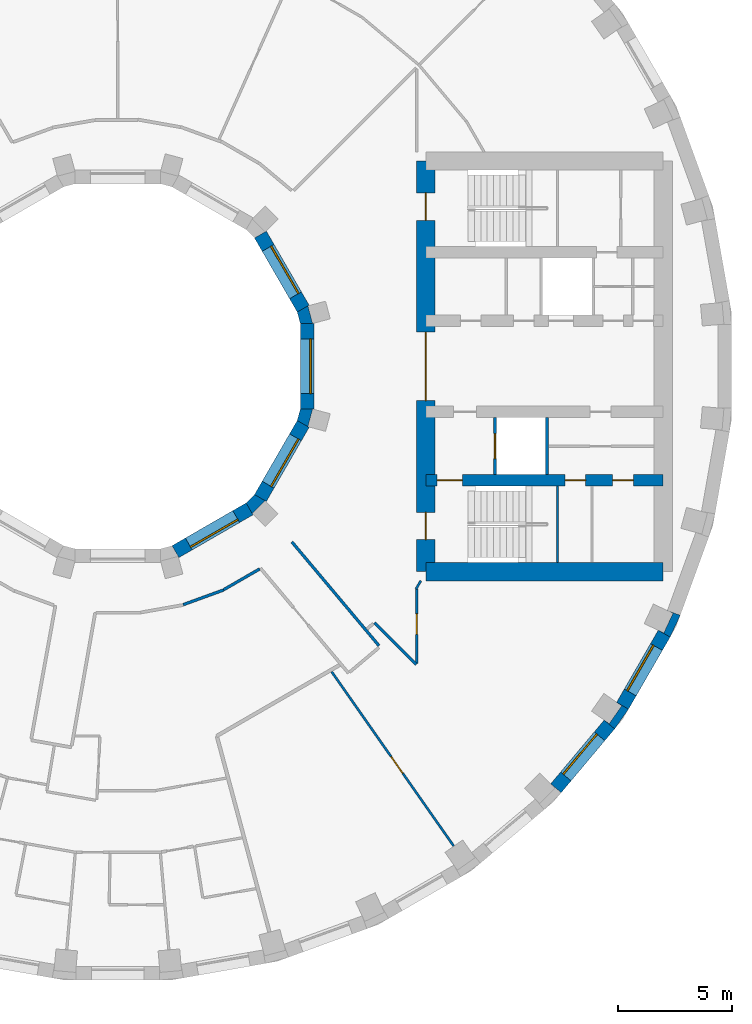
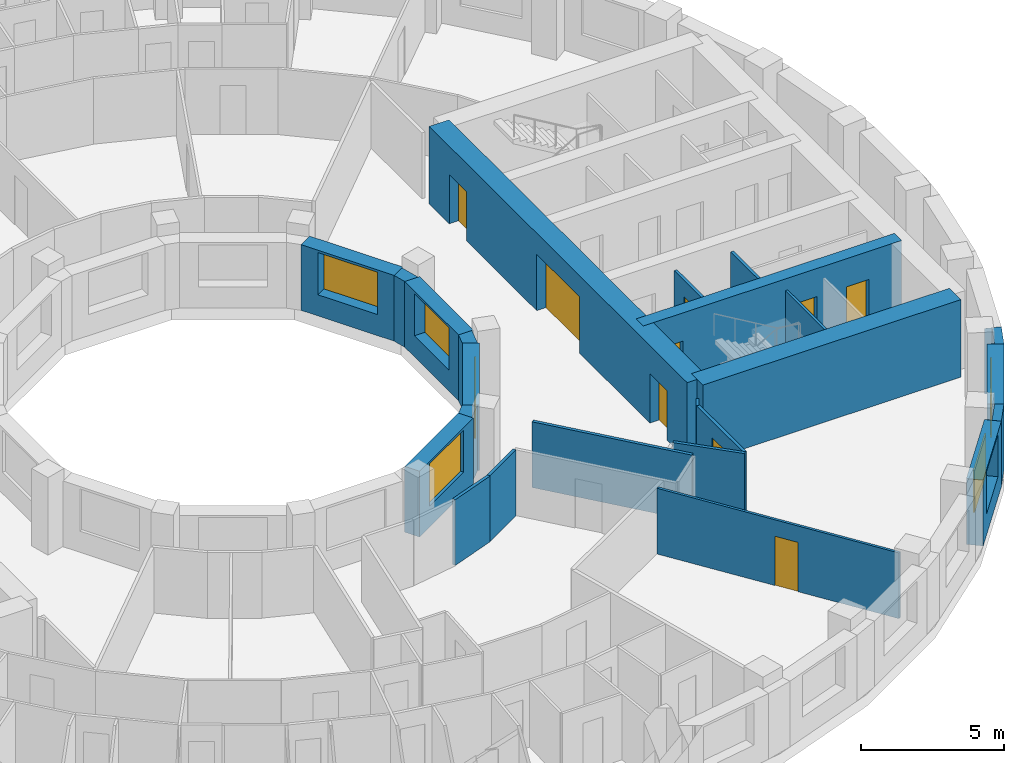
# One storey, part 6 of 12: 24 walls, 9 doors, 6 windows, 15 openings.
"""IFC4 building model written with IfcOpenShell, lengths in metres."""

from ifc_helpers import new_model, si_unit, direction, frame, frame_2d, origin, place, context, subcontext, project, spatial, polyline, rectangle, outline, extrude, material, layer, layer_set, type_object, element, fill, save


model = new_model("IFC4")

# Units and contexts
model_context = context("Model", 3, precision=1e-05, world=origin(), true_north=direction((0.0, 1.0)))
body_context = subcontext(model_context, "Body", "Model", "MODEL_VIEW")
ifc_project = project(units=[si_unit("LENGTHUNIT", "METRE"), si_unit("AREAUNIT", "SQUARE_METRE"), si_unit("VOLUMEUNIT", "CUBIC_METRE"), si_unit("PLANEANGLEUNIT", "RADIAN"), si_unit("MASSUNIT", "GRAM", prefix="KILO")], contexts=[model_context])

# Site, building, storey
site_placement = place(None, origin())
site = spatial("IfcSite", under=ifc_project, at=site_placement, CompositionType="ELEMENT")
building_placement = place(site_placement, origin())
building = spatial("IfcBuilding", under=site, at=building_placement, Name="Saqina Gate Tower", CompositionType="ELEMENT")
storey_placement = place(building_placement, frame((0.0, 0.0, 111.699951171875)))
storey = spatial("IfcBuildingStorey", under=building, at=storey_placement, Name="L31", CompositionType="ELEMENT", Elevation=111.699951171875)

# Walls
ifc_material_1 = material(Name="Brick masonry (buff)", Category="masonry")
wall_type_1 = type_object("IfcWallType", Name="BRICK PIER COPING BUFF", PredefinedType="SOLIDWALL", material=ifc_material_1)
wall_1_placement = place(storey_placement, origin())
element("IfcWall", 1, at=wall_1_placement, inside=storey, type_object=wall_type_1, Name="Pier cap L31 column 33", PredefinedType="SOLIDWALL", context=body_context, shape_type="SweptSolid", body=[
    extrude(outline(polyline([(22.3818359375, -15.0283203125), (21.862060546875, -14.728271484375), (22.08251953125, -14.88232421875), (21.53759765625, -15.66064453125), (21.317138671875, -15.50634765625), (21.77685546875, -15.89208984375), (22.3818359375, -15.0283203125)])), origin(), (0.0, 0.0, 1.0), 2.800048828125),
])
wall_2_placement = place(storey_placement, origin())
element("IfcWall", 2, at=wall_2_placement, inside=storey, type_object=wall_type_1, Name="Pier cap L31 column 34", PredefinedType="SOLIDWALL", context=body_context, shape_type="SweptSolid", body=[
    extrude(outline(polyline([(24.6513671875, -10.913330078125), (24.08740234375, -10.7080078125), (24.331298828125, -10.82177734375), (23.9296875, -11.6826171875), (23.68603515625, -11.569091796875), (24.205810546875, -11.869140625), (24.6513671875, -10.913330078125)])), origin(), (0.0, 0.0, 1.0), 2.800048828125),
])

# Wall, opening, window
ifc_material_2 = material(Name="Brick masonry (buff)", Category="masonry")
ifc_layer_1 = layer(ifc_material_2, 0.60009765625)
ifc_layer_set_1 = layer_set([ifc_layer_1], Name="FW-BRICK-BUFF")
wall_type_2 = type_object("IfcWallType", Name="FW-BRICK-BUFF", PredefinedType="SOLIDWALL", material=ifc_layer_set_1)
wall_3_placement = place(storey_placement, frame((19.202392578125, -18.49365234375, 0.0), z_axis=(0.0, 0.0, 1.0), x_axis=(0.642774476932, 0.766055462616, 0.0)))
wall_3 = element("IfcWall", 3, at=wall_3_placement, inside=storey, type_object=wall_type_2, Name="Facade wall L31 facet 32", PredefinedType="SOLIDWALL", context=body_context, shape_type="SweptSolid", body=[
    extrude(rectangle(XDim=3.647705078125, YDim=0.60009765625, at=frame_2d((1.82373046875, 0.0))), origin(), (0.0, 0.0, 1.0), 2.800048828125),
])
opening_1_placement = place(wall_3_placement, frame((0.673828125, 0.0, 0.89990234375)))
opening_1 = element("IfcOpeningElement", 4, at=opening_1_placement, cuts=wall_3, Name="Opening G09-W24", PredefinedType="OPENING", context=body_context, shape_type="SweptSolid", body=[
    extrude(rectangle(XDim=2.300048828125, YDim=1.800048828125, at=frame_2d((1.14990234375, 0.89990234375))), frame((0.0, 0.31201171875, 0.0), z_axis=(0.0, -1.0, 0.0), x_axis=(1.0, 0.0, 0.0)), (0.0, 0.0, 1.0), 0.6240234375),
])
ifc_material_3 = material(Name="Aluminium glazing", Category="aluminium")
window_type_1 = type_object("IfcWindowType", Name="WN-B", PartitioningType="SINGLE_PANEL", PredefinedType="WINDOW", material=ifc_material_3)
window_1_placement = place(opening_1_placement, origin())
window_1 = element("IfcWindow", 5, at=window_1_placement, inside=storey, type_object=window_type_1, Name="Window L31 facet 32", OverallHeight=1.800048828125, OverallWidth=2.300048828125, PartitioningType="SINGLE_PANEL", PredefinedType="WINDOW", context=body_context, shape_type="SweptSolid", body=[
    extrude(rectangle(XDim=2.300048828125, YDim=1.800048828125, at=frame_2d((1.14990234375, 0.89990234375))), frame((0.0, 0.179931640625, 0.0), z_axis=(0.0, -1.0, 0.0), x_axis=(1.0, 0.0, 0.0)), (0.0, 0.0, 1.0), 0.06005859375),
])
fill(opening_1, window_1)

wall_4_placement = place(storey_placement, frame((22.1220703125, -14.878173828125, 0.0), z_axis=(0.0, 0.0, 1.0), x_axis=(0.499954196102, 0.866051847062, 0.0)))
wall_4 = element("IfcWall", 6, at=wall_4_placement, inside=storey, type_object=wall_type_2, Name="Facade wall L31 facet 33", PredefinedType="SOLIDWALL", context=body_context, shape_type="SweptSolid", body=[
    extrude(rectangle(XDim=3.647705078125, YDim=0.60009765625, at=frame_2d((1.82373046875, 0.0))), origin(), (0.0, 0.0, 1.0), 2.800048828125),
])
opening_2_placement = place(wall_4_placement, frame((0.673828125, 0.0, 0.89990234375)))
opening_2 = element("IfcOpeningElement", 7, at=opening_2_placement, cuts=wall_4, Name="Opening G09-W25", PredefinedType="OPENING", context=body_context, shape_type="SweptSolid", body=[
    extrude(rectangle(XDim=2.300048828125, YDim=1.800048828125, at=frame_2d((1.14990234375, 0.89990234375))), frame((0.0, 0.31201171875, 0.0), z_axis=(0.0, -1.0, 0.0), x_axis=(1.0, 0.0, 0.0)), (0.0, 0.0, 1.0), 0.6240234375),
])
window_2_placement = place(opening_2_placement, origin())
window_2 = element("IfcWindow", 8, at=window_2_placement, inside=storey, type_object=window_type_1, Name="Window L31 facet 33", OverallHeight=1.800048828125, OverallWidth=2.300048828125, PartitioningType="SINGLE_PANEL", PredefinedType="WINDOW", context=body_context, shape_type="SweptSolid", body=[
    extrude(rectangle(XDim=2.300048828125, YDim=1.800048828125, at=frame_2d((1.14990234375, 0.89990234375))), frame((0.0, 0.179931640625, 0.0), z_axis=(0.0, -1.0, 0.0), x_axis=(1.0, 0.0, 0.0)), (0.0, 0.0, 1.0), 0.06005859375),
])
fill(opening_2, window_2)

ifc_material_4 = material(Name="Glazed ceramic tile", Category="ceramic")
ifc_layer_2 = layer(ifc_material_4, 0.60009765625)
ifc_layer_set_2 = layer_set([ifc_layer_2], Name="IW-TILE")
wall_type_3 = type_object("IfcWallType", Name="IW-TILE", PredefinedType="SOLIDWALL", material=ifc_layer_set_2)
wall_5_placement = place(storey_placement, frame((8.124755859375, 2.52734375, 0.0), z_axis=(0.0, 0.0, 1.0), x_axis=(-0.499964958637, 0.86604563398, 0.0)))
wall_5 = element("IfcWall", 9, at=wall_5_placement, inside=storey, type_object=wall_type_3, Name="Well wall L31 facet 1", PredefinedType="SOLIDWALL", context=body_context, shape_type="SweptSolid", body=[
    extrude(rectangle(XDim=3.747314453125, YDim=0.60009765625, at=frame_2d((1.87353515625, 0.0))), origin(), (0.0, 0.0, 1.0), 2.800048828125),
])
opening_3_placement = place(wall_5_placement, frame((0.673583984375, 0.0, 0.89990234375)))
opening_3 = element("IfcOpeningElement", 10, at=opening_3_placement, cuts=wall_5, Name="Opening G09-W26", PredefinedType="OPENING", context=body_context, shape_type="SweptSolid", body=[
    extrude(rectangle(XDim=2.39990234375, YDim=1.800048828125, at=frame_2d((1.199951171875, 0.89990234375))), frame((0.0, 0.31201171875, 0.0), z_axis=(0.0, -1.0, 0.0), x_axis=(1.0, 0.0, 0.0)), (0.0, 0.0, 1.0), 0.6240234375),
])
ifc_material_5 = material(Name="Aluminium glazing", Category="aluminium")
window_type_2 = type_object("IfcWindowType", Name="WN-W", PartitioningType="SINGLE_PANEL", PredefinedType="WINDOW", material=ifc_material_5)
window_3_placement = place(opening_3_placement, origin())
window_3 = element("IfcWindow", 11, at=window_3_placement, inside=storey, type_object=window_type_2, Name="Well window L31 facet 1", OverallHeight=1.800048828125, OverallWidth=2.39990234375, PartitioningType="SINGLE_PANEL", PredefinedType="WINDOW", context=body_context, shape_type="SweptSolid", body=[
    extrude(rectangle(XDim=2.39990234375, YDim=1.800048828125, at=frame_2d((1.199951171875, 0.89990234375))), frame((0.0, -0.119873046875, 0.0), z_axis=(0.0, -1.0, 0.0), x_axis=(1.0, 0.0, 0.0)), (0.0, 0.0, 1.0), 0.06005859375),
])
fill(opening_3, window_3)

wall_6_placement = place(storey_placement, frame((2.52734375, -8.124755859375, 0.0), z_axis=(0.0, 0.0, 1.0), x_axis=(0.86604563398, 0.499964958637, 0.0)))
wall_6 = element("IfcWall", 12, at=wall_6_placement, inside=storey, type_object=wall_type_3, Name="Well wall L31 facet 10", PredefinedType="SOLIDWALL", context=body_context, shape_type="SweptSolid", body=[
    extrude(rectangle(XDim=3.747314453125, YDim=0.60009765625, at=frame_2d((1.87353515625, 0.0))), origin(), (0.0, 0.0, 1.0), 2.800048828125),
])
opening_4_placement = place(wall_6_placement, frame((0.673583984375, 0.0, 0.89990234375)))
opening_4 = element("IfcOpeningElement", 13, at=opening_4_placement, cuts=wall_6, Name="Opening G09-W35", PredefinedType="OPENING", context=body_context, shape_type="SweptSolid", body=[
    extrude(rectangle(XDim=2.39990234375, YDim=1.800048828125, at=frame_2d((1.199951171875, 0.89990234375))), frame((0.0, 0.31201171875, 0.0), z_axis=(0.0, -1.0, 0.0), x_axis=(1.0, 0.0, 0.0)), (0.0, 0.0, 1.0), 0.6240234375),
])
window_4_placement = place(opening_4_placement, origin())
window_4 = element("IfcWindow", 14, at=window_4_placement, inside=storey, type_object=window_type_2, Name="Well window L31 facet 10", OverallHeight=1.800048828125, OverallWidth=2.39990234375, PartitioningType="SINGLE_PANEL", PredefinedType="WINDOW", context=body_context, shape_type="SweptSolid", body=[
    extrude(rectangle(XDim=2.39990234375, YDim=1.800048828125, at=frame_2d((1.199951171875, 0.89990234375))), frame((0.0, -0.119873046875, 0.0), z_axis=(0.0, -1.0, 0.0), x_axis=(1.0, 0.0, 0.0)), (0.0, 0.0, 1.0), 0.06005859375),
])
fill(opening_4, window_4)

wall_7_placement = place(storey_placement, frame((6.251220703125, -5.772705078125, 0.0), z_axis=(0.0, 0.0, 1.0), x_axis=(0.499964958637, 0.86604563398, 0.0)))
wall_7 = element("IfcWall", 15, at=wall_7_placement, inside=storey, type_object=wall_type_3, Name="Well wall L31 facet 11", PredefinedType="SOLIDWALL", context=body_context, shape_type="SweptSolid", body=[
    extrude(rectangle(XDim=3.747314453125, YDim=0.60009765625, at=frame_2d((1.87353515625, 0.0))), origin(), (0.0, 0.0, 1.0), 2.800048828125),
])
opening_5_placement = place(wall_7_placement, frame((0.673583984375, 0.0, 0.89990234375)))
opening_5 = element("IfcOpeningElement", 16, at=opening_5_placement, cuts=wall_7, Name="Opening G09-W36", PredefinedType="OPENING", context=body_context, shape_type="SweptSolid", body=[
    extrude(rectangle(XDim=2.39990234375, YDim=1.800048828125, at=frame_2d((1.199951171875, 0.89990234375))), frame((0.0, 0.31201171875, 0.0), z_axis=(0.0, -1.0, 0.0), x_axis=(1.0, 0.0, 0.0)), (0.0, 0.0, 1.0), 0.6240234375),
])
window_5_placement = place(opening_5_placement, origin())
window_5 = element("IfcWindow", 17, at=window_5_placement, inside=storey, type_object=window_type_2, Name="Well window L31 facet 11", OverallHeight=1.800048828125, OverallWidth=2.39990234375, PartitioningType="SINGLE_PANEL", PredefinedType="WINDOW", context=body_context, shape_type="SweptSolid", body=[
    extrude(rectangle(XDim=2.39990234375, YDim=1.800048828125, at=frame_2d((1.199951171875, 0.89990234375))), frame((0.0, -0.119873046875, 0.0), z_axis=(0.0, -1.0, 0.0), x_axis=(1.0, 0.0, 0.0)), (0.0, 0.0, 1.0), 0.06005859375),
])
fill(opening_5, window_5)

wall_8_placement = place(storey_placement, frame((8.300048828125, -1.873779296875, 0.0), z_axis=(0.0, 0.0, 1.0), x_axis=(0.0, 1.0, 0.0)))
wall_8 = element("IfcWall", 18, at=wall_8_placement, inside=storey, type_object=wall_type_3, Name="Well wall L31 facet 12", PredefinedType="SOLIDWALL", context=body_context, shape_type="SweptSolid", body=[
    extrude(rectangle(XDim=3.74755859375, YDim=0.60009765625, at=frame_2d((1.873779296875, 0.0))), origin(), (0.0, 0.0, 1.0), 2.800048828125),
])
opening_6_placement = place(wall_8_placement, frame((0.673583984375, 0.0, 0.89990234375)))
opening_6 = element("IfcOpeningElement", 19, at=opening_6_placement, cuts=wall_8, Name="Opening G09-W37", PredefinedType="OPENING", context=body_context, shape_type="SweptSolid", body=[
    extrude(rectangle(XDim=2.39990234375, YDim=1.800048828125, at=frame_2d((1.199951171875, 0.89990234375))), frame((0.0, 0.31201171875, 0.0), z_axis=(0.0, -1.0, 0.0), x_axis=(1.0, 0.0, 0.0)), (0.0, 0.0, 1.0), 0.6240234375),
])
window_6_placement = place(opening_6_placement, origin())
window_6 = element("IfcWindow", 20, at=window_6_placement, inside=storey, type_object=window_type_2, Name="Well window L31 facet 12", OverallHeight=1.800048828125, OverallWidth=2.39990234375, PartitioningType="SINGLE_PANEL", PredefinedType="WINDOW", context=body_context, shape_type="SweptSolid", body=[
    extrude(rectangle(XDim=2.39990234375, YDim=1.800048828125, at=frame_2d((1.199951171875, 0.89990234375))), frame((0.0, -0.119873046875, 0.0), z_axis=(0.0, -1.0, 0.0), x_axis=(1.0, 0.0, 0.0)), (0.0, 0.0, 1.0), 0.06005859375),
])
fill(opening_6, window_6)

# Wall, opening, door
ifc_material_6 = material(Name="Gypsum board on steel studs, 100 mm", Category="steel")
ifc_layer_3 = layer(ifc_material_6, 0.10009765625)
ifc_layer_set_3 = layer_set([ifc_layer_3], Name="PARTITION 100")
wall_type_4 = type_object("IfcWallType", Name="PARTITION 100", PredefinedType="PARTITIONING", material=ifc_layer_set_3)
wall_9_placement = place(storey_placement, frame((9.371337890625, -13.384521484375, 0.0), z_axis=(0.0, 0.0, 1.0), x_axis=(0.573555460551, -0.819166731302, 0.0)))
wall_9 = element("IfcWall", 21, at=wall_9_placement, inside=storey, type_object=wall_type_4, Name="PARTITION PW3-17", PredefinedType="PARTITIONING", context=body_context, shape_type="SweptSolid", body=[
    extrude(rectangle(XDim=9.325927734375, YDim=0.10009765625, at=frame_2d((4.6630859375, 0.0))), origin(), (0.0, 0.0, 1.0), 2.800048828125),
])
opening_7_placement = place(wall_9_placement, frame((4.540771484375, 0.0, 0.0)))
opening_7 = element("IfcOpeningElement", 22, at=opening_7_placement, cuts=wall_9, Name="Opening G09-D50", PredefinedType="OPENING", context=body_context, shape_type="SweptSolid", body=[
    extrude(rectangle(XDim=0.89990234375, YDim=2.10009765625, at=frame_2d((0.449951171875, 1.050048828125))), frame((0.0, 0.06201171875, 0.0), z_axis=(0.0, -1.0, 0.0), x_axis=(1.0, 0.0, 0.0)), (0.0, 0.0, 1.0), 0.1240234375),
])
ifc_material_7 = material(Name="Timber door leaf, 900 mm", Category="wood")
door_type_1 = type_object("IfcDoorType", Name="DOOR 900 TIMBER", OperationType="SINGLE_SWING_LEFT", PredefinedType="DOOR", material=ifc_material_7)
door_1_placement = place(opening_7_placement, origin())
door_1 = element("IfcDoor", 23, at=door_1_placement, inside=storey, type_object=door_type_1, Name="DOOR G09-D50", OperationType="SINGLE_SWING_RIGHT", OverallHeight=2.10009765625, OverallWidth=0.89990234375, PredefinedType="DOOR", context=body_context, shape_type="SweptSolid", body=[
    extrude(rectangle(XDim=0.89990234375, YDim=2.10009765625, at=frame_2d((0.449951171875, 1.050048828125))), frame((0.0, 0.02490234375, 0.0), z_axis=(0.0, -1.0, 0.0), x_axis=(1.0, 0.0, 0.0)), (0.0, 0.0, 1.0), 0.050048828125),
])
fill(opening_7, door_1)

# Walls
wall_10_placement = place(storey_placement, frame((13.071044921875, -9.760009765625, 0.0), z_axis=(0.0, 0.0, 1.0), x_axis=(0.500179786662, 0.865921579021, 0.0)))
element("IfcWall", 24, at=wall_10_placement, inside=storey, type_object=wall_type_4, Name="PARTITION PW3-87", PredefinedType="PARTITIONING", context=body_context, shape_type="SweptSolid", body=[
    extrude(rectangle(XDim=0.415771484375, YDim=0.10009765625, at=frame_2d((0.2080078125, 0.0))), origin(), (0.0, 0.0, 1.0), 2.800048828125),
])
ifc_material_8 = material(Name="Gypsum board on steel studs, 125 mm, fire rated", Category="steel")
ifc_layer_4 = layer(ifc_material_8, 0.125)
ifc_layer_set_4 = layer_set([ifc_layer_4], Name="PARTITION EI 30 125")
wall_type_5 = type_object("IfcWallType", Name="PARTITION EI 30 125", PredefinedType="PARTITIONING", material=ifc_layer_set_4)
wall_11_placement = place(storey_placement, frame((7.628662109375, -7.69775390625, 0.0), z_axis=(0.0, 0.0, 1.0), x_axis=(0.642971202284, -0.76589035314, 0.0)))
element("IfcWall", 25, at=wall_11_placement, inside=storey, type_object=wall_type_5, Name="PARTITION PW1-05", PredefinedType="PARTITIONING", context=body_context, shape_type="SweptSolid", body=[
    extrude(rectangle(XDim=5.936767578125, YDim=0.125, at=frame_2d((2.96826171875, 0.0))), origin(), (0.0, 0.0, 1.0), 2.800048828125),
])
wall_12_placement = place(storey_placement, frame((11.240966796875, -11.239013671875, 0.0), z_axis=(0.0, 0.0, 1.0), x_axis=(0.707106781187, -0.707106781187, 0.0)))
element("IfcWall", 26, at=wall_12_placement, inside=storey, type_object=wall_type_5, Name="PARTITION PW1-07", PredefinedType="PARTITIONING", context=body_context, shape_type="SweptSolid", body=[
    extrude(rectangle(XDim=2.590576171875, YDim=0.125, at=frame_2d((1.29541015625, 0.0))), origin(), (0.0, 0.0, 1.0), 2.800048828125),
])
wall_13_placement = place(storey_placement, frame((2.86376953125, -10.44873046875, 0.0), z_axis=(0.0, 0.0, 1.0), x_axis=(0.939733090163, 0.341908934151, 0.0)))
element("IfcWall", 27, at=wall_13_placement, inside=storey, type_object=wall_type_5, Name="PARTITION PW1-31", PredefinedType="PARTITIONING", context=body_context, shape_type="SweptSolid", body=[
    extrude(rectangle(XDim=1.890869140625, YDim=0.125, at=frame_2d((0.9453125, 0.0))), origin(), (0.0, 0.0, 1.0), 2.800048828125),
])
wall_14_placement = place(storey_placement, frame((4.63623046875, -9.794677734375, 0.0), z_axis=(0.0, 0.0, 1.0), x_axis=(0.865889515344, 0.500235291855, 0.0)))
element("IfcWall", 28, at=wall_14_placement, inside=storey, type_object=wall_type_5, Name="PARTITION PW1-35", PredefinedType="PARTITIONING", context=body_context, shape_type="SweptSolid", body=[
    extrude(rectangle(XDim=1.82666015625, YDim=0.125, at=frame_2d((0.913330078125, 0.0))), origin(), (0.0, 0.0, 1.0), 2.800048828125),
])

# Wall, opening, door
wall_15_placement = place(storey_placement, frame((13.10009765625, -13.03662109375, 0.0), z_axis=(0.0, 0.0, 1.0), x_axis=(0.0, 1.0, 0.0)))
wall_15 = element("IfcWall", 29, at=wall_15_placement, inside=storey, type_object=wall_type_5, Name="PARTITION PW1-49", PredefinedType="PARTITIONING", context=body_context, shape_type="SweptSolid", body=[
    extrude(rectangle(XDim=3.276611328125, YDim=0.125, at=frame_2d((1.63818359375, 0.0))), origin(), (0.0, 0.0, 1.0), 2.800048828125),
])
opening_8_placement = place(wall_15_placement, frame((1.281982421875, 0.0, 0.0)))
opening_8 = element("IfcOpeningElement", 30, at=opening_8_placement, cuts=wall_15, Name="Opening G09-D52", PredefinedType="OPENING", context=body_context, shape_type="SweptSolid", body=[
    extrude(rectangle(XDim=0.89990234375, YDim=2.10009765625, at=frame_2d((0.449951171875, 1.050048828125))), frame((0.0, 0.074462890625, 0.0), z_axis=(0.0, -1.0, 0.0), x_axis=(1.0, 0.0, 0.0)), (0.0, 0.0, 1.0), 0.14892578125),
])
ifc_material_9 = material(Name="Fire door leaf EI 30, 900 mm")
door_type_2 = type_object("IfcDoorType", Name="DOOR 900 EI 30", OperationType="SINGLE_SWING_LEFT", PredefinedType="DOOR", material=ifc_material_9)
door_2_placement = place(opening_8_placement, origin())
door_2 = element("IfcDoor", 31, at=door_2_placement, inside=storey, type_object=door_type_2, Name="DOOR G09-D52", OperationType="SINGLE_SWING_LEFT", OverallHeight=2.10009765625, OverallWidth=0.89990234375, PredefinedType="DOOR", context=body_context, shape_type="SweptSolid", body=[
    extrude(rectangle(XDim=0.89990234375, YDim=2.10009765625, at=frame_2d((0.449951171875, 1.050048828125))), frame((0.0, 0.02490234375, 0.0), z_axis=(0.0, -1.0, 0.0), x_axis=(1.0, 0.0, 0.0)), (0.0, 0.0, 1.0), 0.050048828125),
])
fill(opening_8, door_2)

ifc_material_10 = material(Name="Autoclaved aerated concrete block", Category="concrete")
ifc_layer_5 = layer(ifc_material_10, 0.1201171875)
ifc_layer_set_5 = layer_set([ifc_layer_5], Name="SHAFT PARTITION")
wall_type_6 = type_object("IfcWallType", Name="SHAFT PARTITION", PredefinedType="PARTITIONING", material=ifc_layer_set_5)
wall_16_placement = place(storey_placement, frame((16.530029296875, -4.75, 0.0), z_axis=(0.0, 0.0, 1.0), x_axis=(0.0, 1.0, 0.0)))
wall_16 = element("IfcWall", 32, at=wall_16_placement, inside=storey, type_object=wall_type_6, Name="L31-CP-E05", PredefinedType="PARTITIONING", context=body_context, shape_type="SweptSolid", body=[
    extrude(rectangle(XDim=2.5, YDim=0.1201171875, at=frame_2d((1.25, 0.0))), origin(), (0.0, 0.0, 1.0), 2.800048828125),
])
opening_9_placement = place(wall_16_placement, frame((0.699951171875, 0.0, 0.0)))
opening_9 = element("IfcOpeningElement", 33, at=opening_9_placement, cuts=wall_16, Name="Opening G09-LD2", PredefinedType="OPENING", context=body_context, shape_type="SweptSolid", body=[
    extrude(rectangle(XDim=1.10009765625, YDim=2.10009765625, at=frame_2d((0.550048828125, 1.050048828125))), frame((0.0, 0.072021484375, 0.0), z_axis=(0.0, -1.0, 0.0), x_axis=(1.0, 0.0, 0.0)), (0.0, 0.0, 1.0), 0.14404296875),
])
ifc_material_11 = material(Name="Stainless steel", Category="steel")
door_type_3 = type_object("IfcDoorType", Name="LANDING DOOR", OperationType="DOUBLE_DOOR_SLIDING", PredefinedType="DOOR", material=ifc_material_11)
door_3_placement = place(opening_9_placement, origin())
door_3 = element("IfcDoor", 34, at=door_3_placement, inside=storey, type_object=door_type_3, Name="LANDING DOOR FF1", OperationType="DOUBLE_DOOR_SLIDING", OverallHeight=2.10009765625, OverallWidth=1.10009765625, PredefinedType="DOOR", context=body_context, shape_type="SweptSolid", body=[
    extrude(rectangle(XDim=1.10009765625, YDim=2.10009765625, at=frame_2d((0.550048828125, 1.050048828125))), frame((0.0, 0.02490234375, 0.0), z_axis=(0.0, -1.0, 0.0), x_axis=(1.0, 0.0, 0.0)), (0.0, 0.0, 1.0), 0.050048828125),
])
fill(opening_9, door_3)

# Walls
wall_17_placement = place(storey_placement, frame((18.81005859375, -4.75, 0.0), z_axis=(0.0, 0.0, 1.0), x_axis=(0.0, 1.0, 0.0)))
element("IfcWall", 35, at=wall_17_placement, inside=storey, type_object=wall_type_6, Name="L31-CP-E06", PredefinedType="PARTITIONING", context=body_context, shape_type="SweptSolid", body=[
    extrude(rectangle(XDim=2.5, YDim=0.1201171875, at=frame_2d((1.25, 0.0))), origin(), (0.0, 0.0, 1.0), 2.800048828125),
])
ifc_material_12 = material(Name="Autoclaved aerated concrete block", Category="concrete")
ifc_layer_6 = layer(ifc_material_12, 0.10009765625)
ifc_layer_set_6 = layer_set([ifc_layer_6], Name="STAIR ENCLOSURE WALL")
wall_type_7 = type_object("IfcWallType", Name="STAIR ENCLOSURE WALL", PredefinedType="PARTITIONING", material=ifc_layer_set_6)
wall_18_placement = place(storey_placement, frame((19.27001953125, -8.60009765625, 0.0), z_axis=(0.0, 0.0, 1.0), x_axis=(0.0, 1.0, 0.0)))
element("IfcWall", 36, at=wall_18_placement, inside=storey, type_object=wall_type_7, Name="L31-CP-E12", PredefinedType="PARTITIONING", context=body_context, shape_type="SweptSolid", body=[
    extrude(rectangle(XDim=3.35009765625, YDim=0.10009765625, at=frame_2d((1.675048828125, 0.0))), origin(), (0.0, 0.0, 1.0), 2.800048828125),
])

# Wall, openings, doors
ifc_material_13 = material(Name="Concrete C70/85", Category="concrete")
ifc_layer_7 = layer(ifc_material_13, 0.5)
ifc_layer_set_7 = layer_set([ifc_layer_7], Name="Concrete C70/85")
wall_type_8 = type_object("IfcWallType", Name="STR-CORE WALL-B-I", PredefinedType="SHEAR", material=ifc_layer_set_7)
wall_19_placement = place(storey_placement, frame((13.5, -5.0, 0.0), z_axis=(0.0, 0.0, 1.0), x_axis=(1.0, 0.0, 0.0)))
wall_19 = element("IfcWall", 37, at=wall_19_placement, inside=storey, type_object=wall_type_8, Name="CORE WALL L31 E-X2", PredefinedType="SHEAR", context=body_context, shape_type="SweptSolid", body=[
    extrude(rectangle(XDim=10.39990234375, YDim=0.5, at=frame_2d((5.199951171875, 0.0))), origin(), (0.0, 0.0, 1.0), 3.300048828125),
])
opening_10_placement = place(wall_19_placement, frame((6.1015625, 0.0, 0.0)))
opening_10 = element("IfcOpeningElement", 38, at=opening_10_placement, cuts=wall_19, Name="Opening G09-D101", PredefinedType="OPENING", context=body_context, shape_type="SweptSolid", body=[
    extrude(rectangle(XDim=0.89990234375, YDim=2.10009765625, at=frame_2d((0.449951171875, 1.050048828125))), frame((0.0, 0.261962890625, 0.0), z_axis=(0.0, -1.0, 0.0), x_axis=(1.0, 0.0, 0.0)), (0.0, 0.0, 1.0), 0.52392578125),
])
opening_11_placement = place(wall_19_placement, frame((8.19140625, 0.0, 0.0)))
opening_11 = element("IfcOpeningElement", 39, at=opening_11_placement, cuts=wall_19, Name="Opening G09-D102", PredefinedType="OPENING", context=body_context, shape_type="SweptSolid", body=[
    extrude(rectangle(XDim=0.89990234375, YDim=2.10009765625, at=frame_2d((0.449951171875, 1.050048828125))), frame((0.0, 0.261962890625, 0.0), z_axis=(0.0, -1.0, 0.0), x_axis=(1.0, 0.0, 0.0)), (0.0, 0.0, 1.0), 0.52392578125),
])
opening_12_placement = place(wall_19_placement, frame((0.5, 0.0, 0.0)))
opening_12 = element("IfcOpeningElement", 40, at=opening_12_placement, cuts=wall_19, Name="Opening G09-D103", PredefinedType="OPENING", context=body_context, shape_type="SweptSolid", body=[
    extrude(rectangle(XDim=1.10009765625, YDim=2.10009765625, at=frame_2d((0.550048828125, 1.050048828125))), frame((0.0, 0.261962890625, 0.0), z_axis=(0.0, -1.0, 0.0), x_axis=(1.0, 0.0, 0.0)), (0.0, 0.0, 1.0), 0.52392578125),
])
ifc_material_14 = material(Name="Steel", Category="steel")
door_type_4 = type_object("IfcDoorType", Name="FIRE LOBBY DOOR EI 60 WIDE", OperationType="SINGLE_SWING_LEFT", PredefinedType="DOOR", material=ifc_material_14)
door_4_placement = place(opening_12_placement, frame((1.10009765625, 0.0, 0.0), z_axis=(0.0, 0.0, 1.0), x_axis=(-1.0, 0.0, 0.0)))
door_4 = element("IfcDoor", 41, at=door_4_placement, inside=storey, type_object=door_type_4, Name="L31-CD-E14", OperationType="SINGLE_SWING_RIGHT", OverallHeight=2.10009765625, OverallWidth=1.10009765625, PredefinedType="DOOR", context=body_context, shape_type="SweptSolid", body=[
    extrude(rectangle(XDim=1.10009765625, YDim=2.10009765625, at=frame_2d((0.550048828125, 1.050048828125))), frame((0.0, 0.02490234375, 0.0), z_axis=(0.0, -1.0, 0.0), x_axis=(1.0, 0.0, 0.0)), (0.0, 0.0, 1.0), 0.050048828125),
])
fill(opening_12, door_4)
ifc_material_15 = material(Name="Steel-framed fire door leaf, EI 60", Category="steel")
door_type_5 = type_object("IfcDoorType", Name="SERVICE ROOM DOOR 900", OperationType="SINGLE_SWING_LEFT", PredefinedType="DOOR", material=ifc_material_15)
door_5_placement = place(opening_10_placement, origin())
door_5 = element("IfcDoor", 42, at=door_5_placement, inside=storey, type_object=door_type_5, Name="L31-CD-E12", OperationType="SINGLE_SWING_RIGHT", OverallHeight=2.10009765625, OverallWidth=0.89990234375, PredefinedType="DOOR", context=body_context, shape_type="SweptSolid", body=[
    extrude(rectangle(XDim=0.89990234375, YDim=2.10009765625, at=frame_2d((0.449951171875, 1.050048828125))), frame((0.0, 0.02490234375, 0.0), z_axis=(0.0, -1.0, 0.0), x_axis=(1.0, 0.0, 0.0)), (0.0, 0.0, 1.0), 0.050048828125),
])
fill(opening_10, door_5)
door_6_placement = place(opening_11_placement, frame((0.89990234375, 0.0, 0.0), z_axis=(0.0, 0.0, 1.0), x_axis=(-1.0, 0.0, 0.0)))
door_6 = element("IfcDoor", 43, at=door_6_placement, inside=storey, type_object=door_type_5, Name="L31-CD-E13", OperationType="SINGLE_SWING_LEFT", OverallHeight=2.10009765625, OverallWidth=0.89990234375, PredefinedType="DOOR", context=body_context, shape_type="SweptSolid", body=[
    extrude(rectangle(XDim=0.89990234375, YDim=2.10009765625, at=frame_2d((0.449951171875, 1.050048828125))), frame((0.0, 0.02490234375, 0.0), z_axis=(0.0, -1.0, 0.0), x_axis=(1.0, 0.0, 0.0)), (0.0, 0.0, 1.0), 0.050048828125),
])
fill(opening_11, door_6)

ifc_material_16 = material(Name="Concrete C70/85", Category="concrete")
ifc_layer_8 = layer(ifc_material_16, 0.800048828125)
ifc_layer_set_8 = layer_set([ifc_layer_8], Name="Concrete C70/85")
wall_type_9 = type_object("IfcWallType", Name="STR-CORE WALL-B-O", PredefinedType="SHEAR", material=ifc_layer_set_8)
wall_20_placement = place(storey_placement, frame((13.5, -9.0, 0.0), z_axis=(0.0, 0.0, 1.0), x_axis=(0.0, 1.0, 0.0)))
wall_20 = element("IfcWall", 44, at=wall_20_placement, inside=storey, type_object=wall_type_9, Name="CORE WALL L31 E-W1", PredefinedType="SHEAR", context=body_context, shape_type="SweptSolid", body=[
    extrude(rectangle(XDim=18.0, YDim=0.800048828125, at=frame_2d((9.0, 0.0))), origin(), (0.0, 0.0, 1.0), 3.300048828125),
])
opening_13_placement = place(wall_20_placement, frame((15.39990234375, 0.0, 0.0)))
opening_13 = element("IfcOpeningElement", 45, at=opening_13_placement, cuts=wall_20, Name="Opening G09-D104", PredefinedType="OPENING", context=body_context, shape_type="SweptSolid", body=[
    extrude(rectangle(XDim=1.199951171875, YDim=2.10009765625, at=frame_2d((0.60009765625, 1.050048828125))), frame((0.0, 0.412109375, 0.0), z_axis=(0.0, -1.0, 0.0), x_axis=(1.0, 0.0, 0.0)), (0.0, 0.0, 1.0), 0.823974609375),
])
opening_14_placement = place(wall_20_placement, frame((1.39990234375, 0.0, 0.0)))
opening_14 = element("IfcOpeningElement", 46, at=opening_14_placement, cuts=wall_20, Name="Opening G09-D105", PredefinedType="OPENING", context=body_context, shape_type="SweptSolid", body=[
    extrude(rectangle(XDim=1.199951171875, YDim=2.10009765625, at=frame_2d((0.60009765625, 1.050048828125))), frame((0.0, 0.412109375, 0.0), z_axis=(0.0, -1.0, 0.0), x_axis=(1.0, 0.0, 0.0)), (0.0, 0.0, 1.0), 0.823974609375),
])
opening_15_placement = place(wall_20_placement, frame((7.5, 0.0, 0.0)))
opening_15 = element("IfcOpeningElement", 47, at=opening_15_placement, cuts=wall_20, Name="Opening G09-D106", PredefinedType="OPENING", context=body_context, shape_type="SweptSolid", body=[
    extrude(rectangle(XDim=3.0, YDim=2.39990234375, at=frame_2d((1.5, 1.199951171875))), frame((0.0, 0.412109375, 0.0), z_axis=(0.0, -1.0, 0.0), x_axis=(1.0, 0.0, 0.0)), (0.0, 0.0, 1.0), 0.823974609375),
])
ifc_material_17 = material(Name="Steel", Category="steel")
door_type_6 = type_object("IfcDoorType", Name="FIRE DOOR EI 60", OperationType="SINGLE_SWING_LEFT", PredefinedType="DOOR", material=ifc_material_17)
door_7_placement = place(opening_13_placement, frame((1.199951171875, 0.0, 0.0), z_axis=(0.0, 0.0, 1.0), x_axis=(-1.0, 0.0, 0.0)))
door_7 = element("IfcDoor", 48, at=door_7_placement, inside=storey, type_object=door_type_6, Name="L31-CD-E15", OperationType="SINGLE_SWING_LEFT", OverallHeight=2.10009765625, OverallWidth=1.199951171875, PredefinedType="DOOR", context=body_context, shape_type="SweptSolid", body=[
    extrude(rectangle(XDim=1.199951171875, YDim=2.10009765625, at=frame_2d((0.60009765625, 1.050048828125))), frame((0.0, 0.02490234375, 0.0), z_axis=(0.0, -1.0, 0.0), x_axis=(1.0, 0.0, 0.0)), (0.0, 0.0, 1.0), 0.050048828125),
])
fill(opening_13, door_7)
door_8_placement = place(opening_14_placement, frame((1.199951171875, 0.0, 0.0), z_axis=(0.0, 0.0, 1.0), x_axis=(-1.0, 0.0, 0.0)))
door_8 = element("IfcDoor", 49, at=door_8_placement, inside=storey, type_object=door_type_6, Name="L31-CD-E16", OperationType="SINGLE_SWING_RIGHT", OverallHeight=2.10009765625, OverallWidth=1.199951171875, PredefinedType="DOOR", context=body_context, shape_type="SweptSolid", body=[
    extrude(rectangle(XDim=1.199951171875, YDim=2.10009765625, at=frame_2d((0.60009765625, 1.050048828125))), frame((0.0, 0.02490234375, 0.0), z_axis=(0.0, -1.0, 0.0), x_axis=(1.0, 0.0, 0.0)), (0.0, 0.0, 1.0), 0.050048828125),
])
fill(opening_14, door_8)
ifc_material_18 = material(Name="Steel and fire-resisting glass", Category="steel")
door_type_7 = type_object("IfcDoorType", Name="LOBBY SCREEN DOOR", OperationType="DOUBLE_DOOR_SLIDING", PredefinedType="DOOR", material=ifc_material_18)
door_9_placement = place(opening_15_placement, origin())
door_9 = element("IfcDoor", 50, at=door_9_placement, inside=storey, type_object=door_type_7, Name="L31-CD-E17", OperationType="DOUBLE_DOOR_SLIDING", OverallHeight=2.39990234375, OverallWidth=3.0, PredefinedType="DOOR", context=body_context, shape_type="SweptSolid", body=[
    extrude(rectangle(XDim=3.0, YDim=2.39990234375, at=frame_2d((1.5, 1.199951171875))), frame((0.0, 0.02490234375, 0.0), z_axis=(0.0, -1.0, 0.0), x_axis=(1.0, 0.0, 0.0)), (0.0, 0.0, 1.0), 0.050048828125),
])
fill(opening_15, door_9)

# Walls
wall_21_placement = place(storey_placement, frame((13.5, -9.0, 0.0), z_axis=(0.0, 0.0, 1.0), x_axis=(1.0, 0.0, 0.0)))
element("IfcWall", 51, at=wall_21_placement, inside=storey, type_object=wall_type_9, Name="CORE WALL L31 E-SE", PredefinedType="SHEAR", context=body_context, shape_type="SweptSolid", body=[
    extrude(rectangle(XDim=10.39990234375, YDim=0.800048828125, at=frame_2d((5.199951171875, 0.0))), origin(), (0.0, 0.0, 1.0), 3.300048828125),
])
ifc_material_19 = material(Name="Glazed ceramic tile", Category="ceramic")
wall_type_10 = type_object("IfcWallType", Name="TILE PIER COPING", PredefinedType="SOLIDWALL", material=ifc_material_19)
wall_22_placement = place(storey_placement, origin())
element("IfcWall", 52, at=wall_22_placement, inside=storey, type_object=wall_type_10, Name="Well pier cap L31 column 1", PredefinedType="SOLIDWALL", context=body_context, shape_type="SweptSolid", body=[
    extrude(outline(polyline([(8.3310546875, 2.646484375), (7.864990234375, 2.377197265625), (8.0, 1.873779296875), (8.5380859375, 1.873779296875), (8.3310546875, 2.646484375)])), origin(), (0.0, 0.0, 1.0), 2.800048828125),
])
wall_23_placement = place(storey_placement, origin())
element("IfcWall", 53, at=wall_23_placement, inside=storey, type_object=wall_type_10, Name="Well pier cap L31 column 11", PredefinedType="SOLIDWALL", context=body_context, shape_type="SweptSolid", body=[
    extrude(outline(polyline([(5.891845703125, -6.45751953125), (6.45751953125, -5.891845703125), (5.991455078125, -5.622802734375), (5.622802734375, -5.991455078125), (5.891845703125, -6.45751953125)])), origin(), (0.0, 0.0, 1.0), 2.800048828125),
])
wall_24_placement = place(storey_placement, origin())
element("IfcWall", 54, at=wall_24_placement, inside=storey, type_object=wall_type_10, Name="Well pier cap L31 column 12", PredefinedType="SOLIDWALL", context=body_context, shape_type="SweptSolid", body=[
    extrude(outline(polyline([(8.5380859375, -1.873779296875), (8.0, -1.873779296875), (7.864990234375, -2.377197265625), (8.3310546875, -2.646484375), (8.5380859375, -1.873779296875)])), origin(), (0.0, 0.0, 1.0), 2.800048828125),
])

save(model, "model.ifc")
